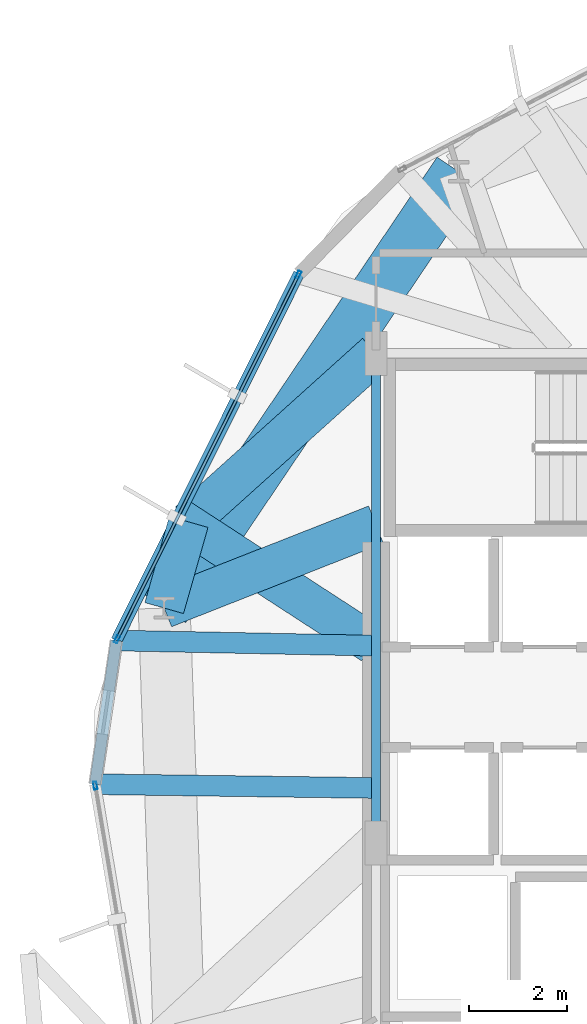
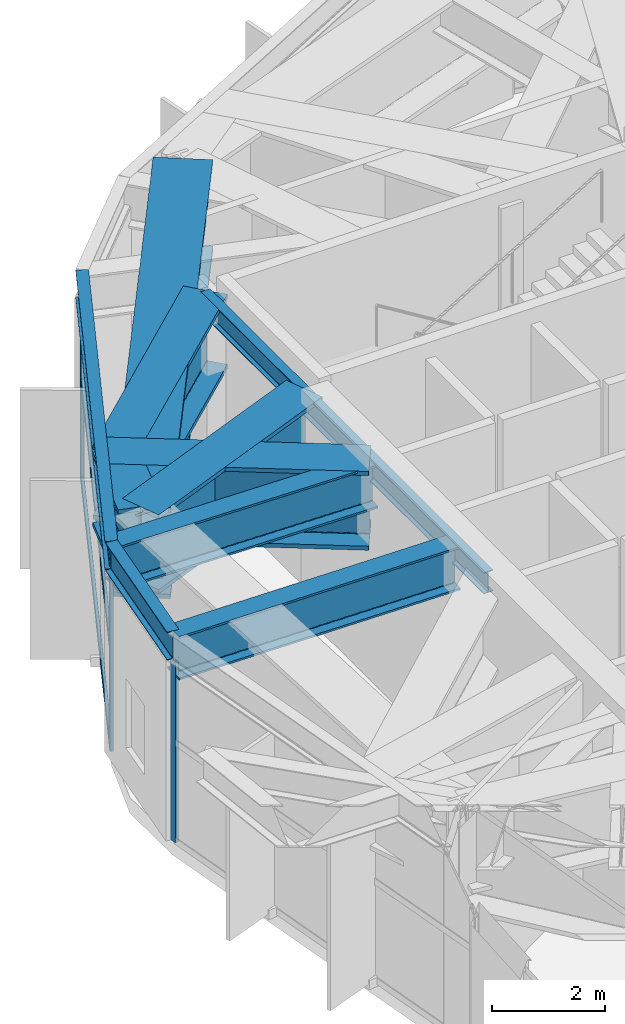
# One storey, part 10 of 27: 10 beams, 6 members, 2 elements without a shape of their own.
"""IFC4 building model written with IfcOpenShell, lengths in metres."""

from ifc_helpers import new_model, si_unit, direction, frame, origin, origin_2d, place, context, subcontext, project, spatial, hollow_rectangle, i_section, extrude, material, layer, layer_set, material_profile, profile_set, type_object, element, aggregate, save


model = new_model("IFC4")

# Units and contexts
model_context = context("Model", 3, precision=1e-05, world=origin(), true_north=direction((0.0, 1.0)))
body_context = subcontext(model_context, "Body", "Model", "MODEL_VIEW")
ifc_project = project(units=[si_unit("LENGTHUNIT", "METRE"), si_unit("AREAUNIT", "SQUARE_METRE"), si_unit("VOLUMEUNIT", "CUBIC_METRE"), si_unit("PLANEANGLEUNIT", "RADIAN"), si_unit("MASSUNIT", "GRAM", prefix="KILO")], contexts=[model_context])

# Site, building, storey
site_placement = place(None, origin())
site = spatial("IfcSite", under=ifc_project, at=site_placement, CompositionType="ELEMENT")
building_placement = place(site_placement, origin())
building = spatial("IfcBuilding", under=site, at=building_placement, Name="Soratama Intermodal Tower", CompositionType="ELEMENT")
storey_placement = place(building_placement, frame((0.0, 0.0, 134.199951171875)))
storey = spatial("IfcBuildingStorey", under=building, at=storey_placement, Name="L32", CompositionType="ELEMENT", Elevation=134.199951171875)

# Beams
ifc_material_1 = material(Name="Structural steel ASTM A992 Grade 50", Category="steel")
ifc_material_profile_1 = material_profile(ifc_material_1, i_section(OverallWidth=0.19091796875, OverallDepth=0.4599609375, WebThickness=0.010009765625, FlangeThickness=0.01611328125, FilletRadius=0.010986328125, at=origin_2d()), Name="W18X55")
ifc_profile_set_1 = profile_set([ifc_material_profile_1], Name="Structural steel ASTM A992 Grade 50")
beam_type_1 = type_object("IfcBeamType", Name="BM-FLR-W18X55", PredefinedType="BEAM", material=ifc_profile_set_1)
beam_1_placement = place(storey_placement, frame((32.60009765625, 35.0, 4.27001953125), z_axis=(0.0, -1.0, 0.0), x_axis=(1.0, 0.0, 0.0)))
element("IfcBeam", 1, at=beam_1_placement, inside=storey, type_object=beam_type_1, Name="BM-L32-CRING-08", PredefinedType="BEAM", context=body_context, shape_type="SweptSolid", body=[
    extrude(i_section(OverallWidth=0.19091796875, OverallDepth=0.4599609375, WebThickness=0.010009765625, FlangeThickness=0.01611328125, FilletRadius=0.010986328125, at=origin_2d()), origin(), (0.0, 0.0, 1.0), 10.0),
])
ifc_material_2 = material(Name="Structural steel ASTM A992 Grade 50", Category="steel")
ifc_material_profile_2 = material_profile(ifc_material_2, i_section(OverallWidth=0.423095703125, OverallDepth=0.93896484375, WebThickness=0.02392578125, FlangeThickness=0.042724609375, FilletRadius=0.02392578125, at=origin_2d()), Name="W36X302")
ifc_profile_set_2 = profile_set([ifc_material_profile_2], Name="Structural steel ASTM A992 Grade 50")
beam_type_2 = type_object("IfcBeamType", Name="BM-POD-W36X302", PredefinedType="BEAM", material=ifc_profile_set_2)
beam_2_placement = place(storey_placement, frame((32.56005859375, 29.028076171875, 4.030517578125), z_axis=(-0.999801115611, 0.019943149776, 0.0), x_axis=(-0.019943149776, -0.999801115611, 0.0)))
element("IfcBeam", 2, at=beam_2_placement, inside=storey, type_object=beam_type_2, Name="BM-L32-TIE1-04", PredefinedType="BEAM", context=body_context, shape_type="SweptSolid", body=[
    extrude(i_section(OverallWidth=0.423095703125, OverallDepth=0.93896484375, WebThickness=0.02392578125, FlangeThickness=0.042724609375, FilletRadius=0.02392578125, at=origin_2d()), origin(), (0.0, 0.0, 1.0), 5.263916015625),
])
beam_3_placement = place(storey_placement, frame((32.56005859375, 26.12109375, 4.030517578125), z_axis=(-0.99990896289, 0.013493180967, 0.0), x_axis=(-0.013493180967, -0.99990896289, 0.0)))
element("IfcBeam", 3, at=beam_3_placement, inside=storey, type_object=beam_type_2, Name="BM-L32-TIE0-05", PredefinedType="BEAM", context=body_context, shape_type="SweptSolid", body=[
    extrude(i_section(OverallWidth=0.423095703125, OverallDepth=0.93896484375, WebThickness=0.02392578125, FlangeThickness=0.042724609375, FilletRadius=0.02392578125, at=origin_2d()), origin(), (0.0, 0.0, 1.0), 5.699462890625),
])
ifc_material_3 = material(Name="Structural steel ASTM A992 Grade 50", Category="steel")
ifc_material_profile_3 = material_profile(ifc_material_3, i_section(OverallWidth=0.22900390625, OverallDepth=0.612060546875, WebThickness=0.011962890625, FlangeThickness=0.01953125, FilletRadius=0.012939453125, at=origin_2d()), Name="W24X84")
ifc_profile_set_3 = profile_set([ifc_material_profile_3], Name="Structural steel ASTM A992 Grade 50")
beam_type_3 = type_object("IfcBeamType", Name="BM-SPN-W24X84", PredefinedType="SPANDREL", material=ifc_profile_set_3)
beam_4_placement = place(storey_placement, frame((31.029052734375, 36.631103515625, 4.194091796875), z_axis=(-0.445580474247, -0.895241889642, 0.0), x_axis=(0.895241889642, -0.445580474247, 0.0)))
element("IfcBeam", 4, at=beam_4_placement, inside=storey, type_object=beam_type_3, Name="BS-L32-F04", PredefinedType="SPANDREL", context=body_context, shape_type="SweptSolid", body=[
    extrude(i_section(OverallWidth=0.22900390625, OverallDepth=0.612060546875, WebThickness=0.011962890625, FlangeThickness=0.01953125, FilletRadius=0.012939453125, at=origin_2d()), origin(), (0.0, 0.0, 1.0), 8.37548828125),
])
beam_5_placement = place(storey_placement, frame((27.297119140625, 29.133056640625, 4.194091796875), z_axis=(-0.146948221245, -0.989144185785, 0.0), x_axis=(0.989144185785, -0.146948221245, 0.0)))
element("IfcBeam", 5, at=beam_5_placement, inside=storey, type_object=beam_type_3, Name="BS-L32-CRN04", PredefinedType="SPANDREL", context=body_context, shape_type="SweptSolid", body=[
    extrude(i_section(OverallWidth=0.22900390625, OverallDepth=0.612060546875, WebThickness=0.011962890625, FlangeThickness=0.01953125, FilletRadius=0.012939453125, at=origin_2d()), origin(), (0.0, 0.0, 1.0), 2.96728515625),
])
ifc_material_4 = material(Name="Structural steel ASTM A992 Grade 50", Category="steel")
ifc_material_profile_4 = material_profile(ifc_material_4, i_section(OverallWidth=0.820068359375, OverallDepth=1.699951171875, WebThickness=0.053955078125, FlangeThickness=0.087890625, FilletRadius=0.02392578125, at=origin_2d()), Name="PG1580X800")
ifc_profile_set_4 = profile_set([ifc_material_profile_4], Name="Structural steel ASTM A992 Grade 50")
beam_type_4 = type_object("IfcBeamType", Name="BM-ZSTEP-PG1580", PredefinedType="BEAM", material=ifc_profile_set_4)
beam_6_placement = place(storey_placement, frame((32.529052734375, 29.06201171875, 3.650146484375), z_axis=(-0.83879367455, 0.544449420547, 0.0), x_axis=(-0.544449420547, -0.83879367455, 0.0)))
element("IfcBeam", 6, at=beam_6_placement, inside=storey, type_object=beam_type_4, Name="BM-L32-ZCHORD-05", PredefinedType="BEAM", context=body_context, shape_type="SweptSolid", body=[
    extrude(i_section(OverallWidth=0.820068359375, OverallDepth=1.699951171875, WebThickness=0.053955078125, FlangeThickness=0.087890625, FilletRadius=0.02392578125, at=origin_2d()), origin(), (0.0, 0.0, 1.0), 4.74609375),
])
beam_7_placement = place(storey_placement, frame((32.60009765625, 31.5, 3.650146484375), z_axis=(-0.930419244357, -0.366496970971, 0.0), x_axis=(0.366496970971, -0.930419244357, 0.0)))
element("IfcBeam", 7, at=beam_7_placement, inside=storey, type_object=beam_type_4, Name="BM-L32-RAD-05", PredefinedType="BEAM", context=body_context, shape_type="SweptSolid", body=[
    extrude(i_section(OverallWidth=0.820068359375, OverallDepth=1.699951171875, WebThickness=0.053955078125, FlangeThickness=0.087890625, FilletRadius=0.02392578125, at=origin_2d()), origin(), (0.0, 0.0, 1.0), 4.649658203125),
])
ifc_material_5 = material(Name="Structural steel ASTM A992 Grade 50", Category="steel")
ifc_material_profile_5 = material_profile(ifc_material_5, i_section(OverallWidth=0.820068359375, OverallDepth=1.60205078125, WebThickness=0.055908203125, FlangeThickness=0.092041015625, FilletRadius=0.02392578125, at=origin_2d()), Name="PG1600X650")
ifc_profile_set_5 = profile_set([ifc_material_profile_5], Name="Structural steel ASTM A992 Grade 50")
beam_type_5 = type_object("IfcBeamType", Name="BM-ZSTEP-PG1600", PredefinedType="BEAM", material=ifc_profile_set_5)
beam_8_placement = place(storey_placement, frame((28.27392578125, 29.7958984375, 3.698974609375), z_axis=(0.273275687121, 0.961935756082, 0.0), x_axis=(-0.961935756082, 0.273275687121, 0.0)))
element("IfcBeam", 8, at=beam_8_placement, inside=storey, type_object=beam_type_5, Name="BM-L32-ZSTEP-A05", PredefinedType="BEAM", context=body_context, shape_type="SweptSolid", body=[
    extrude(i_section(OverallWidth=0.820068359375, OverallDepth=1.60205078125, WebThickness=0.055908203125, FlangeThickness=0.092041015625, FilletRadius=0.02392578125, at=origin_2d()), origin(), (0.0, 0.0, 1.0), 1.82958984375),
])
beam_9_placement = place(storey_placement, frame((28.77392578125, 31.555908203125, 3.698974609375), z_axis=(0.743242264893, 0.669022373076, 0.0), x_axis=(-0.669022373076, 0.743242264893, 0.0)))
element("IfcBeam", 9, at=beam_9_placement, inside=storey, type_object=beam_type_5, Name="BM-L32-ZSTEP-B05", PredefinedType="BEAM", context=body_context, shape_type="SweptSolid", body=[
    extrude(i_section(OverallWidth=0.820068359375, OverallDepth=1.60205078125, WebThickness=0.055908203125, FlangeThickness=0.092041015625, FilletRadius=0.02392578125, at=origin_2d()), origin(), (0.0, 0.0, 1.0), 5.14794921875),
])
ifc_material_6 = material(Name="Structural steel ASTM A992 Grade 50", Category="steel")
ifc_material_profile_6 = material_profile(ifc_material_6, i_section(OverallWidth=1.06005859375, OverallDepth=1.9599609375, WebThickness=0.05810546875, FlangeThickness=0.095947265625, FilletRadius=0.02392578125, at=origin_2d()), Name="PG2400X900")
ifc_profile_set_6 = profile_set([ifc_material_profile_6], Name="Structural steel ASTM A992 Grade 50")
beam_type_6 = type_object("IfcBeamType", Name="BM-ZSTEP-PG2400", PredefinedType="BEAM", material=ifc_profile_set_6)
beam_10_placement = place(storey_placement, frame((34.2880859375, 38.7109375, 3.52001953125), z_axis=(-0.559249807749, -0.828999187293, 0.0), x_axis=(0.828999187293, -0.559249807749, 0.0)))
element("IfcBeam", 10, at=beam_10_placement, inside=storey, type_object=beam_type_6, Name="BM-L32-RING-04", PredefinedType="BEAM", context=body_context, shape_type="SweptSolid", body=[
    extrude(i_section(OverallWidth=1.06005859375, OverallDepth=1.9599609375, WebThickness=0.05810546875, FlangeThickness=0.095947265625, FilletRadius=0.02392578125, at=origin_2d()), origin(), (0.0, 0.0, 1.0), 10.75390625),
])

# Curtain wall, members
ifc_material_7 = material(Name="Double-glazed aluminium curtain wall", Category="aluminium")
ifc_layer = layer(ifc_material_7, 0.159912109375)
ifc_layer_set = layer_set([ifc_layer], Name="Double-glazed aluminium curtain wall")
curtain_wall_type = type_object("IfcCurtainWallType", Name="CW-SYS-3", PredefinedType="NOTDEFINED", material=ifc_layer_set)
curtain_wall_1_placement = place(storey_placement, origin())
curtain_wall_1 = element("IfcCurtainWall", 11, at=curtain_wall_1_placement, inside=storey, type_object=curtain_wall_type, Name="L32 Faceted Curtain Wall F04", PredefinedType="NOTDEFINED")
ifc_material_8 = material(Name="Anodised aluminium AA 6063-T6", Category="aluminium")
ifc_material_profile_7 = material_profile(ifc_material_8, hollow_rectangle(XDim=0.070068359375, YDim=0.159912109375, WallThickness=0.0048828125, InnerFilletRadius=0.0048828125, OuterFilletRadius=0.010009765625, at=origin_2d()), Name="CWM160X70X5")
ifc_profile_set_7 = profile_set([ifc_material_profile_7], Name="Anodised aluminium AA 6063-T6")
member_type_1 = type_object("IfcMemberType", Name="MT-CWM-3", PredefinedType="MULLION", material=ifc_profile_set_7)
member_1_placement = place(storey_placement, frame((31.01611328125, 36.6044921875, 0.0), z_axis=(0.0, 0.0, 1.0), x_axis=(0.895247053814, -0.445570098456, 0.0)))
member_1 = element("IfcMember", 12, at=member_1_placement, type_object=member_type_1, Name="CW-3 mullion 1", PredefinedType="MULLION", context=body_context, shape_type="SweptSolid", body=[
    extrude(hollow_rectangle(XDim=0.070068359375, YDim=0.159912109375, WallThickness=0.0048828125, InnerFilletRadius=0.0048828125, OuterFilletRadius=0.010009765625, at=origin_2d()), origin(), (0.0, 0.0, 1.0), 3.879150390625),
])
member_2_placement = place(storey_placement, frame((27.310546875, 29.159423828125, 0.0), z_axis=(0.0, 0.0, 1.0), x_axis=(0.895247053814, -0.445570098456, 0.0)))
member_2 = element("IfcMember", 13, at=member_2_placement, type_object=member_type_1, Name="CW-3 mullion 2", PredefinedType="MULLION", context=body_context, shape_type="SweptSolid", body=[
    extrude(hollow_rectangle(XDim=0.070068359375, YDim=0.159912109375, WallThickness=0.0048828125, InnerFilletRadius=0.0048828125, OuterFilletRadius=0.010009765625, at=origin_2d()), origin(), (0.0, 0.0, 1.0), 3.879150390625),
])

# Curtain wall, member
curtain_wall_2_placement = place(storey_placement, origin())
curtain_wall_2 = element("IfcCurtainWall", 14, at=curtain_wall_2_placement, inside=storey, type_object=curtain_wall_type, Name="L32 Faceted Curtain Wall F05", PredefinedType="NOTDEFINED")
member_3_placement = place(storey_placement, frame((26.865966796875, 26.168701171875, 0.0), z_axis=(0.0, 0.0, 1.0), x_axis=(0.986171032262, 0.165730791125, 0.0)))
member_3 = element("IfcMember", 15, at=member_3_placement, type_object=member_type_1, Name="CW-3 mullion 1", PredefinedType="MULLION", context=body_context, shape_type="SweptSolid", body=[
    extrude(hollow_rectangle(XDim=0.070068359375, YDim=0.159912109375, WallThickness=0.0048828125, InnerFilletRadius=0.0048828125, OuterFilletRadius=0.010009765625, at=origin_2d()), origin(), (0.0, 0.0, 1.0), 3.879150390625),
])
aggregate(curtain_wall_2, [member_3])

# Member
ifc_material_9 = material(Name="Anodised aluminium AA 6063-T6", Category="aluminium")
ifc_material_profile_8 = material_profile(ifc_material_9, hollow_rectangle(XDim=0.06494140625, YDim=0.14990234375, WallThickness=0.0048828125, InnerFilletRadius=0.0048828125, OuterFilletRadius=0.010009765625, at=origin_2d()), Name="CWT150X65X5")
ifc_profile_set_8 = profile_set([ifc_material_profile_8], Name="Anodised aluminium AA 6063-T6")
member_type_2 = type_object("IfcMemberType", Name="TT-CWT-1", PredefinedType="USERDEFINED", material=ifc_profile_set_8)
member_4_placement = place(storey_placement, frame((31.002685546875, 36.57763671875, 0.030029296875), z_axis=(-0.445568718583, -0.895247740584, 0.0), x_axis=(0.895247740584, -0.445568718583, 0.0)))
member_4 = element("IfcMember", 16, at=member_4_placement, type_object=member_type_2, Name="CW-3 transom 1.1", ObjectType="TRANSOM", PredefinedType="USERDEFINED", context=body_context, shape_type="SweptSolid", body=[
    extrude(hollow_rectangle(XDim=0.06494140625, YDim=0.14990234375, WallThickness=0.0048828125, InnerFilletRadius=0.0048828125, OuterFilletRadius=0.010009765625, at=origin_2d()), origin(), (0.0, 0.0, 1.0), 8.256103515625),
])

member_5_placement = place(storey_placement, frame((31.002685546875, 36.57763671875, 2.150146484375), z_axis=(-0.445568718583, -0.895247740584, 0.0), x_axis=(0.895247740584, -0.445568718583, 0.0)))
member_5 = element("IfcMember", 17, at=member_5_placement, type_object=member_type_2, Name="CW-3 transom 1.2", ObjectType="TRANSOM", PredefinedType="USERDEFINED", context=body_context, shape_type="SweptSolid", body=[
    extrude(hollow_rectangle(XDim=0.06494140625, YDim=0.14990234375, WallThickness=0.0048828125, InnerFilletRadius=0.0048828125, OuterFilletRadius=0.010009765625, at=origin_2d()), origin(), (0.0, 0.0, 1.0), 8.256103515625),
])

member_6_placement = place(storey_placement, frame((31.002685546875, 36.57763671875, 3.84912109375), z_axis=(-0.445568718583, -0.895247740584, 0.0), x_axis=(0.895247740584, -0.445568718583, 0.0)))
member_6 = element("IfcMember", 18, at=member_6_placement, type_object=member_type_2, Name="CW-3 transom 1.3", ObjectType="TRANSOM", PredefinedType="USERDEFINED", context=body_context, shape_type="SweptSolid", body=[
    extrude(hollow_rectangle(XDim=0.06494140625, YDim=0.14990234375, WallThickness=0.0048828125, InnerFilletRadius=0.0048828125, OuterFilletRadius=0.010009765625, at=origin_2d()), origin(), (0.0, 0.0, 1.0), 8.256103515625),
])

aggregate(curtain_wall_1, [member_1, member_2, member_4, member_5, member_6])

save(model, "model.ifc")
